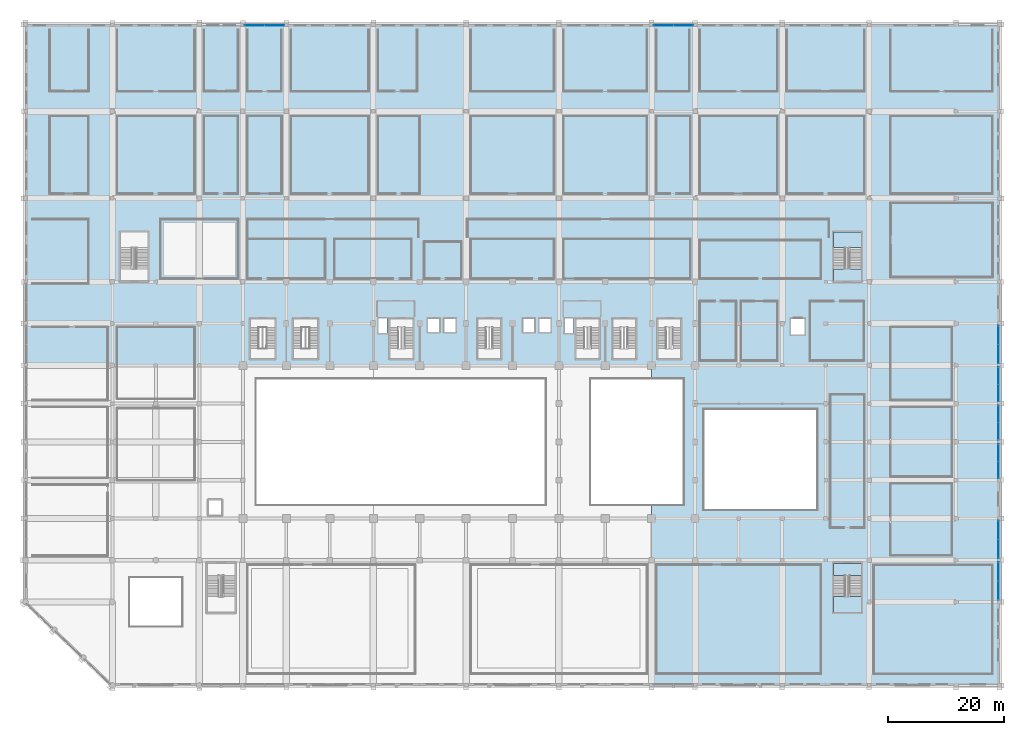
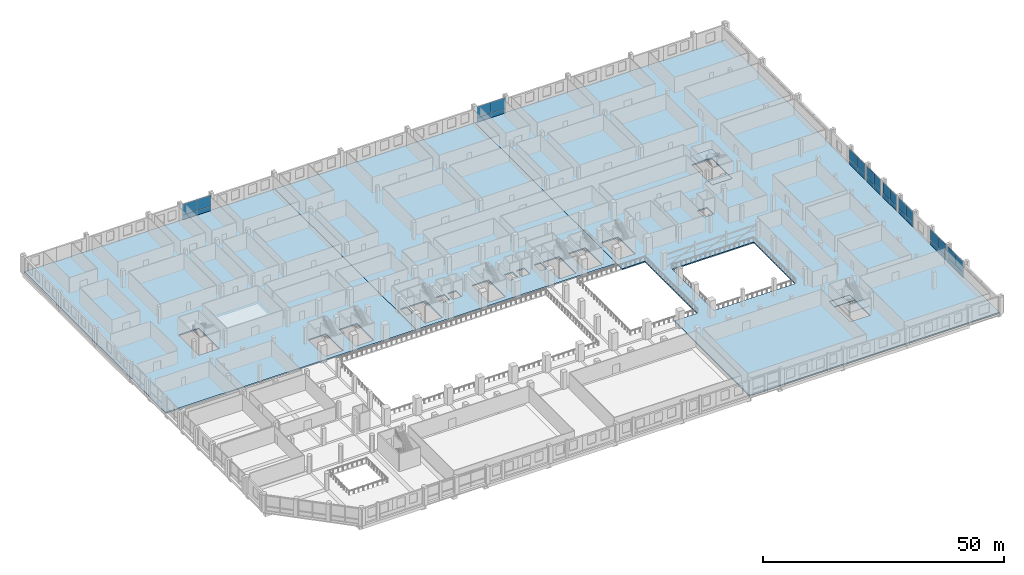
# One storey, part 38 of 64: 24 plates, 7 slabs, 10 elements without a shape of their own.
"""IFC4 building model written with IfcOpenShell, lengths in metres."""

from ifc_helpers import new_model, si_unit, direction, frame, origin, origin_2d, place, context, subcontext, project, spatial, polyline, rectangle, outline, extrude, material, layer, layer_set, type_object, element, aggregate, save


model = new_model("IFC4")

# Units and contexts
model_context = context("Model", 3, precision=1e-05, world=origin(), true_north=direction((0.0, 1.0)))
body_context = subcontext(model_context, "Body", "Model", "MODEL_VIEW")
ifc_project = project(units=[si_unit("LENGTHUNIT", "METRE"), si_unit("AREAUNIT", "SQUARE_METRE"), si_unit("VOLUMEUNIT", "CUBIC_METRE"), si_unit("PLANEANGLEUNIT", "RADIAN"), si_unit("MASSUNIT", "GRAM", prefix="KILO")], contexts=[model_context])

# Site, building, storey
site_placement = place(None, origin())
site = spatial("IfcSite", under=ifc_project, at=site_placement, CompositionType="ELEMENT")
building_placement = place(site_placement, origin())
building = spatial("IfcBuilding", under=site, at=building_placement, Name="Akrevak Sports Hall", CompositionType="ELEMENT")
storey_placement = place(building_placement, frame((0.0, 0.0, 4.60009765625)))
storey = spatial("IfcBuildingStorey", under=building, at=storey_placement, Name="L01", CompositionType="ELEMENT", Elevation=4.60009765625)

# Curtain wall, plates
ifc_material_1 = material(Name="Anodized Bronze Aluminium & Low-E Glass", Category="aluminium")
curtain_wall_type_1 = type_object("IfcCurtainWallType", Name="ARC-CW-POD-70x42", PredefinedType="NOTDEFINED", material=ifc_material_1)
curtain_wall_1_placement = place(storey_placement, origin())
curtain_wall_1 = element("IfcCurtainWall", 1, at=curtain_wall_1_placement, inside=storey, type_object=curtain_wall_type_1, Name="Curtain Wall CW-L01-N06", PredefinedType="NOTDEFINED")
ifc_material_2 = material(Name="Double Low-E Tempered Glass", Category="glass")
ifc_layer_1 = layer(ifc_material_2, 0.035888671875, Name="Double Low-E Tempered Glass")
ifc_layer_set_1 = layer_set([ifc_layer_1], Name="Double Low-E Tempered Glass")
plate_type_1 = type_object("IfcPlateType", Name="ARC-CWP-GLZ-36", PredefinedType="CURTAIN_PANEL", material=ifc_layer_set_1)
plate_1_placement = place(storey_placement, frame((42.96240234375, 113.81005859375, 1.14990234375), z_axis=(0.0, 0.0, 1.0), x_axis=(-1.0, 0.0, 0.0)))
plate_1 = element("IfcPlate", 2, at=plate_1_placement, type_object=plate_type_1, Name="Vision Glass Panel CW-L01-N06-G1", PredefinedType="CURTAIN_PANEL", context=body_context, shape_type="SweptSolid", body=[
    extrude(rectangle(XDim=3.425048828125, YDim=0.035888671875, at=origin_2d()), origin(), (0.0, 0.0, 1.0), 2.7900390625),
])
plate_2_placement = place(storey_placement, frame((39.53759765625, 113.81005859375, 1.14990234375), z_axis=(0.0, 0.0, 1.0), x_axis=(-1.0, 0.0, 0.0)))
plate_2 = element("IfcPlate", 3, at=plate_2_placement, type_object=plate_type_1, Name="Vision Glass Panel CW-L01-N06-G2", PredefinedType="CURTAIN_PANEL", context=body_context, shape_type="SweptSolid", body=[
    extrude(rectangle(XDim=3.425048828125, YDim=0.035888671875, at=origin_2d()), origin(), (0.0, 0.0, 1.0), 2.7900390625),
])

curtain_wall_2_placement = place(storey_placement, origin())
curtain_wall_2 = element("IfcCurtainWall", 4, at=curtain_wall_2_placement, inside=storey, type_object=curtain_wall_type_1, Name="Curtain Wall CW-L01-N15", PredefinedType="NOTDEFINED")
plate_3_placement = place(storey_placement, frame((113.47509765625, 113.81005859375, 1.14990234375), z_axis=(0.0, 0.0, 1.0), x_axis=(-1.0, 0.0, 0.0)))
plate_3 = element("IfcPlate", 5, at=plate_3_placement, type_object=plate_type_1, Name="Vision Glass Panel CW-L01-N15-G1", PredefinedType="CURTAIN_PANEL", context=body_context, shape_type="SweptSolid", body=[
    extrude(rectangle(XDim=3.39990234375, YDim=0.035888671875, at=origin_2d()), origin(), (0.0, 0.0, 1.0), 2.7900390625),
])
plate_4_placement = place(storey_placement, frame((110.074951171875, 113.81005859375, 1.14990234375), z_axis=(0.0, 0.0, 1.0), x_axis=(-1.0, 0.0, 0.0)))
plate_4 = element("IfcPlate", 6, at=plate_4_placement, type_object=plate_type_1, Name="Vision Glass Panel CW-L01-N15-G2", PredefinedType="CURTAIN_PANEL", context=body_context, shape_type="SweptSolid", body=[
    extrude(rectangle(XDim=3.39990234375, YDim=0.035888671875, at=origin_2d()), origin(), (0.0, 0.0, 1.0), 2.7900390625),
])

curtain_wall_type_2 = type_object("IfcCurtainWallType", Name="ARC-CW-POD-64x44", PredefinedType="NOTDEFINED", material=ifc_material_1)
curtain_wall_3_placement = place(storey_placement, origin())
curtain_wall_3 = element("IfcCurtainWall", 7, at=curtain_wall_3_placement, inside=storey, type_object=curtain_wall_type_2, Name="Curtain Wall CW-L01-E03", PredefinedType="NOTDEFINED")
plate_5_placement = place(storey_placement, frame((167.81005859375, 16.39990234375, 1.14990234375), z_axis=(0.0, 0.0, 1.0), x_axis=(0.0, 1.0, 0.0)))
plate_5 = element("IfcPlate", 8, at=plate_5_placement, type_object=plate_type_1, Name="Vision Glass Panel CW-L01-E03-G1", PredefinedType="CURTAIN_PANEL", context=body_context, shape_type="SweptSolid", body=[
    extrude(rectangle(XDim=3.25, YDim=0.035888671875, at=origin_2d()), origin(), (0.0, 0.0, 1.0), 2.7900390625),
])
plate_6_placement = place(storey_placement, frame((167.81005859375, 19.64990234375, 1.14990234375), z_axis=(0.0, 0.0, 1.0), x_axis=(0.0, 1.0, 0.0)))
plate_6 = element("IfcPlate", 9, at=plate_6_placement, type_object=plate_type_1, Name="Vision Glass Panel CW-L01-E03-G2", PredefinedType="CURTAIN_PANEL", context=body_context, shape_type="SweptSolid", body=[
    extrude(rectangle(XDim=3.25, YDim=0.035888671875, at=origin_2d()), origin(), (0.0, 0.0, 1.0), 2.7900390625),
])

curtain_wall_4_placement = place(storey_placement, origin())
curtain_wall_4 = element("IfcCurtainWall", 10, at=curtain_wall_4_placement, inside=storey, type_object=curtain_wall_type_2, Name="Curtain Wall CW-L01-E04", PredefinedType="NOTDEFINED")
plate_7_placement = place(storey_placement, frame((167.81005859375, 23.550048828125, 1.14990234375), z_axis=(0.0, 0.0, 1.0), x_axis=(0.0, 1.0, 0.0)))
plate_7 = element("IfcPlate", 11, at=plate_7_placement, type_object=plate_type_1, Name="Vision Glass Panel CW-L01-E04-G1", PredefinedType="CURTAIN_PANEL", context=body_context, shape_type="SweptSolid", body=[
    extrude(rectangle(XDim=3.25, YDim=0.035888671875, at=origin_2d()), origin(), (0.0, 0.0, 1.0), 2.7900390625),
])
plate_8_placement = place(storey_placement, frame((167.81005859375, 26.800048828125, 1.14990234375), z_axis=(0.0, 0.0, 1.0), x_axis=(0.0, 1.0, 0.0)))
plate_8 = element("IfcPlate", 12, at=plate_8_placement, type_object=plate_type_1, Name="Vision Glass Panel CW-L01-E04-G2", PredefinedType="CURTAIN_PANEL", context=body_context, shape_type="SweptSolid", body=[
    extrude(rectangle(XDim=3.25, YDim=0.035888671875, at=origin_2d()), origin(), (0.0, 0.0, 1.0), 2.7900390625),
])

curtain_wall_5_placement = place(storey_placement, origin())
curtain_wall_5 = element("IfcCurtainWall", 13, at=curtain_wall_5_placement, inside=storey, type_object=curtain_wall_type_2, Name="Curtain Wall CW-L01-E06", PredefinedType="NOTDEFINED")
plate_9_placement = place(storey_placement, frame((167.81005859375, 37.199951171875, 1.14990234375), z_axis=(0.0, 0.0, 1.0), x_axis=(0.0, 1.0, 0.0)))
plate_9 = element("IfcPlate", 14, at=plate_9_placement, type_object=plate_type_1, Name="Vision Glass Panel CW-L01-E06-G1", PredefinedType="CURTAIN_PANEL", context=body_context, shape_type="SweptSolid", body=[
    extrude(rectangle(XDim=2.949951171875, YDim=0.035888671875, at=origin_2d()), origin(), (0.0, 0.0, 1.0), 2.7900390625),
])
plate_10_placement = place(storey_placement, frame((167.81005859375, 40.14990234375, 1.14990234375), z_axis=(0.0, 0.0, 1.0), x_axis=(0.0, 1.0, 0.0)))
plate_10 = element("IfcPlate", 15, at=plate_10_placement, type_object=plate_type_1, Name="Vision Glass Panel CW-L01-E06-G2", PredefinedType="CURTAIN_PANEL", context=body_context, shape_type="SweptSolid", body=[
    extrude(rectangle(XDim=2.949951171875, YDim=0.035888671875, at=origin_2d()), origin(), (0.0, 0.0, 1.0), 2.7900390625),
])

curtain_wall_6_placement = place(storey_placement, origin())
curtain_wall_6 = element("IfcCurtainWall", 16, at=curtain_wall_6_placement, inside=storey, type_object=curtain_wall_type_2, Name="Curtain Wall CW-L01-E07", PredefinedType="NOTDEFINED")
plate_11_placement = place(storey_placement, frame((167.81005859375, 43.83740234375, 1.14990234375), z_axis=(0.0, 0.0, 1.0), x_axis=(0.0, 1.0, 0.0)))
plate_11 = element("IfcPlate", 17, at=plate_11_placement, type_object=plate_type_1, Name="Vision Glass Panel CW-L01-E07-G1", PredefinedType="CURTAIN_PANEL", context=body_context, shape_type="SweptSolid", body=[
    extrude(rectangle(XDim=2.925048828125, YDim=0.035888671875, at=origin_2d()), origin(), (0.0, 0.0, 1.0), 2.7900390625),
])
plate_12_placement = place(storey_placement, frame((167.81005859375, 46.762451171875, 1.14990234375), z_axis=(0.0, 0.0, 1.0), x_axis=(0.0, 1.0, 0.0)))
plate_12 = element("IfcPlate", 18, at=plate_12_placement, type_object=plate_type_1, Name="Vision Glass Panel CW-L01-E07-G2", PredefinedType="CURTAIN_PANEL", context=body_context, shape_type="SweptSolid", body=[
    extrude(rectangle(XDim=2.925048828125, YDim=0.035888671875, at=origin_2d()), origin(), (0.0, 0.0, 1.0), 2.7900390625),
])

curtain_wall_7_placement = place(storey_placement, origin())
curtain_wall_7 = element("IfcCurtainWall", 19, at=curtain_wall_7_placement, inside=storey, type_object=curtain_wall_type_2, Name="Curtain Wall CW-L01-E08", PredefinedType="NOTDEFINED")
plate_13_placement = place(storey_placement, frame((167.81005859375, 50.449951171875, 1.14990234375), z_axis=(0.0, 0.0, 1.0), x_axis=(0.0, 1.0, 0.0)))
plate_13 = element("IfcPlate", 20, at=plate_13_placement, type_object=plate_type_1, Name="Vision Glass Panel CW-L01-E08-G1", PredefinedType="CURTAIN_PANEL", context=body_context, shape_type="SweptSolid", body=[
    extrude(rectangle(XDim=2.949951171875, YDim=0.035888671875, at=origin_2d()), origin(), (0.0, 0.0, 1.0), 2.7900390625),
])
plate_14_placement = place(storey_placement, frame((167.81005859375, 53.39990234375, 1.14990234375), z_axis=(0.0, 0.0, 1.0), x_axis=(0.0, 1.0, 0.0)))
plate_14 = element("IfcPlate", 21, at=plate_14_placement, type_object=plate_type_1, Name="Vision Glass Panel CW-L01-E08-G2", PredefinedType="CURTAIN_PANEL", context=body_context, shape_type="SweptSolid", body=[
    extrude(rectangle(XDim=2.949951171875, YDim=0.035888671875, at=origin_2d()), origin(), (0.0, 0.0, 1.0), 2.7900390625),
])

curtain_wall_8_placement = place(storey_placement, origin())
curtain_wall_8 = element("IfcCurtainWall", 22, at=curtain_wall_8_placement, inside=storey, type_object=curtain_wall_type_2, Name="Curtain Wall CW-L01-E09", PredefinedType="NOTDEFINED")
plate_15_placement = place(storey_placement, frame((167.81005859375, 57.14990234375, 1.14990234375), z_axis=(0.0, 0.0, 1.0), x_axis=(0.0, 1.0, 0.0)))
plate_15 = element("IfcPlate", 23, at=plate_15_placement, type_object=plate_type_1, Name="Vision Glass Panel CW-L01-E09-G1", PredefinedType="CURTAIN_PANEL", context=body_context, shape_type="SweptSolid", body=[
    extrude(rectangle(XDim=3.25, YDim=0.035888671875, at=origin_2d()), origin(), (0.0, 0.0, 1.0), 2.7900390625),
])
plate_16_placement = place(storey_placement, frame((167.81005859375, 60.39990234375, 1.14990234375), z_axis=(0.0, 0.0, 1.0), x_axis=(0.0, 1.0, 0.0)))
plate_16 = element("IfcPlate", 24, at=plate_16_placement, type_object=plate_type_1, Name="Vision Glass Panel CW-L01-E09-G2", PredefinedType="CURTAIN_PANEL", context=body_context, shape_type="SweptSolid", body=[
    extrude(rectangle(XDim=3.25, YDim=0.035888671875, at=origin_2d()), origin(), (0.0, 0.0, 1.0), 2.7900390625),
])

# Plate
ifc_material_3 = material(Name="Insulated Bronze Spandrel Panel", Category="aluminium")
ifc_layer_2 = layer(ifc_material_3, 0.0439453125, Name="Insulated Bronze Spandrel Panel")
ifc_layer_set_2 = layer_set([ifc_layer_2], Name="Insulated Bronze Spandrel Panel")
plate_type_2 = type_object("IfcPlateType", Name="ARC-CWP-SPD-44", PredefinedType="CURTAIN_PANEL", material=ifc_layer_set_2)
plate_17_placement = place(storey_placement, frame((41.25, 113.81005859375, 0.0), z_axis=(0.0, 0.0, 1.0), x_axis=(-1.0, 0.0, 0.0)))
plate_17 = element("IfcPlate", 25, at=plate_17_placement, type_object=plate_type_2, Name="Insulated Spandrel Panel CW-L01-N06-S1", PredefinedType="CURTAIN_PANEL", context=body_context, shape_type="SweptSolid", body=[
    extrude(rectangle(XDim=6.85009765625, YDim=0.0439453125, at=origin_2d()), origin(), (0.0, 0.0, 1.0), 1.14990234375),
])

aggregate(curtain_wall_1, [plate_1, plate_2, plate_17])

plate_18_placement = place(storey_placement, frame((111.77490234375, 113.81005859375, 0.0), z_axis=(0.0, 0.0, 1.0), x_axis=(-1.0, 0.0, 0.0)))
plate_18 = element("IfcPlate", 26, at=plate_18_placement, type_object=plate_type_2, Name="Insulated Spandrel Panel CW-L01-N15-S1", PredefinedType="CURTAIN_PANEL", context=body_context, shape_type="SweptSolid", body=[
    extrude(rectangle(XDim=6.800048828125, YDim=0.0439453125, at=origin_2d()), origin(), (0.0, 0.0, 1.0), 1.14990234375),
])

aggregate(curtain_wall_2, [plate_3, plate_4, plate_18])

plate_19_placement = place(storey_placement, frame((167.81005859375, 18.02490234375, 0.0), z_axis=(0.0, 0.0, 1.0), x_axis=(0.0, 1.0, 0.0)))
plate_19 = element("IfcPlate", 27, at=plate_19_placement, type_object=plate_type_2, Name="Insulated Spandrel Panel CW-L01-E03-S1", PredefinedType="CURTAIN_PANEL", context=body_context, shape_type="SweptSolid", body=[
    extrude(rectangle(XDim=6.5, YDim=0.0439453125, at=origin_2d()), origin(), (0.0, 0.0, 1.0), 1.14990234375),
])

aggregate(curtain_wall_3, [plate_5, plate_6, plate_19])

plate_20_placement = place(storey_placement, frame((167.81005859375, 25.175048828125, 0.0), z_axis=(0.0, 0.0, 1.0), x_axis=(0.0, 1.0, 0.0)))
plate_20 = element("IfcPlate", 28, at=plate_20_placement, type_object=plate_type_2, Name="Insulated Spandrel Panel CW-L01-E04-S1", PredefinedType="CURTAIN_PANEL", context=body_context, shape_type="SweptSolid", body=[
    extrude(rectangle(XDim=6.5, YDim=0.0439453125, at=origin_2d()), origin(), (0.0, 0.0, 1.0), 1.14990234375),
])

aggregate(curtain_wall_4, [plate_7, plate_8, plate_20])

plate_21_placement = place(storey_placement, frame((167.81005859375, 38.675048828125, 0.0), z_axis=(0.0, 0.0, 1.0), x_axis=(0.0, 1.0, 0.0)))
plate_21 = element("IfcPlate", 29, at=plate_21_placement, type_object=plate_type_2, Name="Insulated Spandrel Panel CW-L01-E06-S1", PredefinedType="CURTAIN_PANEL", context=body_context, shape_type="SweptSolid", body=[
    extrude(rectangle(XDim=5.89990234375, YDim=0.0439453125, at=origin_2d()), origin(), (0.0, 0.0, 1.0), 1.14990234375),
])

aggregate(curtain_wall_5, [plate_9, plate_10, plate_21])

plate_22_placement = place(storey_placement, frame((167.81005859375, 45.300048828125, 0.0), z_axis=(0.0, 0.0, 1.0), x_axis=(0.0, 1.0, 0.0)))
plate_22 = element("IfcPlate", 30, at=plate_22_placement, type_object=plate_type_2, Name="Insulated Spandrel Panel CW-L01-E07-S1", PredefinedType="CURTAIN_PANEL", context=body_context, shape_type="SweptSolid", body=[
    extrude(rectangle(XDim=5.85009765625, YDim=0.0439453125, at=origin_2d()), origin(), (0.0, 0.0, 1.0), 1.14990234375),
])

aggregate(curtain_wall_6, [plate_11, plate_12, plate_22])

plate_23_placement = place(storey_placement, frame((167.81005859375, 51.925048828125, 0.0), z_axis=(0.0, 0.0, 1.0), x_axis=(0.0, 1.0, 0.0)))
plate_23 = element("IfcPlate", 31, at=plate_23_placement, type_object=plate_type_2, Name="Insulated Spandrel Panel CW-L01-E08-S1", PredefinedType="CURTAIN_PANEL", context=body_context, shape_type="SweptSolid", body=[
    extrude(rectangle(XDim=5.89990234375, YDim=0.0439453125, at=origin_2d()), origin(), (0.0, 0.0, 1.0), 1.14990234375),
])

aggregate(curtain_wall_7, [plate_13, plate_14, plate_23])

plate_24_placement = place(storey_placement, frame((167.81005859375, 58.77490234375, 0.0), z_axis=(0.0, 0.0, 1.0), x_axis=(0.0, 1.0, 0.0)))
plate_24 = element("IfcPlate", 32, at=plate_24_placement, type_object=plate_type_2, Name="Insulated Spandrel Panel CW-L01-E09-S1", PredefinedType="CURTAIN_PANEL", context=body_context, shape_type="SweptSolid", body=[
    extrude(rectangle(XDim=6.5, YDim=0.0439453125, at=origin_2d()), origin(), (0.0, 0.0, 1.0), 1.14990234375),
])

aggregate(curtain_wall_8, [plate_15, plate_16, plate_24])

# Slabs
ifc_material_4 = material(Name="Concrete C40/50", Category="concrete")
ifc_layer_3 = layer(ifc_material_4, 0.300048828125, Name="Concrete C40/50")
ifc_layer_set_3 = layer_set([ifc_layer_3], Name="Concrete C40/50")
slab_type_1 = type_object("IfcSlabType", Name="STR-SLB-FLR-300", PredefinedType="FLOOR", material=ifc_layer_set_3)
slab_1_placement = place(storey_placement, frame((0.0, 0.0, -0.300048828125)))
element("IfcSlab", 33, at=slab_1_placement, inside=storey, type_object=slab_type_1, Name="Structural Floor Slab L01-2.1", PredefinedType="FLOOR", context=body_context, shape_type="SweptSolid", body=[
    extrude(outline(polyline([(0.0, 55.199951171875), (60.0, 55.199951171875), (60.0, 114.0), (0.0, 114.0), (0.0, 55.199951171875)]), holes=[polyline([(43.050048828125, 56.300048828125), (38.75, 56.300048828125), (38.75, 63.25), (43.050048828125, 63.25), (43.050048828125, 56.300048828125)]), polyline([(50.449951171875, 63.25), (50.449951171875, 56.300048828125), (46.14990234375, 56.300048828125), (46.14990234375, 63.25), (50.449951171875, 63.25)]), polyline([(21.14990234375, 78.199951171875), (21.14990234375, 69.75), (16.35009765625, 69.75), (16.35009765625, 78.199951171875), (21.14990234375, 78.199951171875)])]), origin(), (0.0, 0.0, 1.0), 0.300048828125),
])
slab_2_placement = place(storey_placement, frame((0.0, 0.0, -0.300048828125)))
element("IfcSlab", 34, at=slab_2_placement, inside=storey, type_object=slab_type_1, Name="Structural Floor Slab L01-4.1", PredefinedType="FLOOR", context=body_context, shape_type="SweptSolid", body=[
    extrude(outline(polyline([(60.0, 114.0), (60.0, 55.199951171875), (108.0, 55.199951171875), (108.0, 114.0), (60.0, 114.0)]), holes=[polyline([(66.85009765625, 56.300048828125), (62.85009765625, 56.300048828125), (62.85009765625, 63.25), (66.85009765625, 63.25), (66.85009765625, 56.300048828125)]), polyline([(82.0, 56.300048828125), (78.0, 56.300048828125), (78.0, 63.25), (82.0, 63.25), (82.0, 56.300048828125)]), polyline([(62.3798828125, 63.280029296875), (62.3798828125, 60.77001953125), (60.8701171875, 60.77001953125), (60.8701171875, 63.280029296875), (62.3798828125, 63.280029296875)]), polyline([(71.3798828125, 60.919921875), (69.419921875, 60.919921875), (69.419921875, 63.280029296875), (71.3798828125, 63.280029296875), (71.3798828125, 60.919921875)]), polyline([(74.179931640625, 60.919921875), (72.219970703125, 60.919921875), (72.219970703125, 63.280029296875), (74.179931640625, 63.280029296875), (74.179931640625, 60.919921875)]), polyline([(98.949951171875, 56.300048828125), (94.949951171875, 56.300048828125), (94.949951171875, 63.25), (98.949951171875, 63.25), (98.949951171875, 56.300048828125)]), polyline([(105.25, 56.300048828125), (101.25, 56.300048828125), (101.25, 63.25), (105.25, 63.25), (105.25, 56.300048828125)]), polyline([(94.47998046875, 60.77001953125), (92.969970703125, 60.77001953125), (92.969970703125, 63.280029296875), (94.47998046875, 63.280029296875), (94.47998046875, 60.77001953125)]), polyline([(87.780029296875, 63.280029296875), (87.780029296875, 60.919921875), (85.820068359375, 60.919921875), (85.820068359375, 63.280029296875), (87.780029296875, 63.280029296875)]), polyline([(90.580078125, 60.919921875), (88.6201171875, 60.919921875), (88.6201171875, 63.280029296875), (90.580078125, 63.280029296875), (90.580078125, 60.919921875)])]), origin(), (0.0, 0.0, 1.0), 0.300048828125),
])
slab_3_placement = place(storey_placement, frame((0.0, 0.0, -0.300048828125)))
element("IfcSlab", 35, at=slab_3_placement, inside=storey, type_object=slab_type_1, Name="Structural Floor Slab L01-5.1", PredefinedType="FLOOR", context=body_context, shape_type="SweptSolid", body=[
    extrude(outline(polyline([(108.0, 114.0), (108.0, 52.85009765625), (113.5, 52.85009765625), (113.5, 31.14990234375), (108.0, 31.14990234375), (108.0, 0.0), (168.0, 0.0), (168.0, 114.0), (108.0, 114.0)]), holes=[polyline([(144.14990234375, 12.60009765625), (139.35009765625, 12.60009765625), (139.35009765625, 21.050048828125), (144.14990234375, 21.050048828125), (144.14990234375, 12.60009765625)]), polyline([(136.5, 30.300048828125), (117.0, 30.300048828125), (117.0, 47.60009765625), (136.5, 47.60009765625), (136.5, 30.300048828125)]), polyline([(113.050048828125, 63.25), (113.050048828125, 56.300048828125), (109.050048828125, 56.300048828125), (109.050048828125, 63.25), (113.050048828125, 63.25)]), polyline([(134.3798828125, 60.52001953125), (132.02001953125, 60.52001953125), (132.02001953125, 63.280029296875), (134.3798828125, 63.280029296875), (134.3798828125, 60.52001953125)]), polyline([(144.14990234375, 69.75), (139.35009765625, 69.75), (139.35009765625, 78.199951171875), (144.14990234375, 78.199951171875), (144.14990234375, 69.75)])]), origin(), (0.0, 0.0, 1.0), 0.300048828125),
])

# Stair, slab
stair_type = type_object("IfcStairType", Name="ARC-STR-PDOG-480", PredefinedType="HALF_TURN_STAIR", material=ifc_material_4)
stair_1_placement = place(storey_placement, origin())
stair_1 = element("IfcStair", 36, at=stair_1_placement, inside=storey, type_object=stair_type, Name="Podium SE Exit Stair ST7 (L01 to L02)", PredefinedType="HALF_TURN_STAIR")
ifc_layer_4 = layer(ifc_material_4, 0.199951171875, Name="Concrete C40/50")
ifc_layer_set_4 = layer_set([ifc_layer_4], Name="Concrete C40/50")
slab_type_2 = type_object("IfcSlabType", Name="STR-SLB-LAND-200", PredefinedType="LANDING", material=ifc_layer_set_4)
slab_4_placement = place(storey_placement, frame((0.0, 0.0, 2.199951171875)))
slab_4 = element("IfcSlab", 37, at=slab_4_placement, type_object=slab_type_2, Name="Stair ST7 Half-Landing 1 (L01)", PredefinedType="LANDING", context=body_context, shape_type="SweptSolid", body=[
    extrude(outline(polyline([(139.35009765625, 12.60009765625), (144.14990234375, 12.60009765625), (144.14990234375, 15.31005859375), (139.35009765625, 15.31005859375), (139.35009765625, 12.60009765625)])), origin(), (0.0, 0.0, 1.0), 0.199951171875),
])
aggregate(stair_1, [slab_4])

stair_2_placement = place(storey_placement, origin())
stair_2 = element("IfcStair", 38, at=stair_2_placement, inside=storey, type_object=stair_type, Name="Podium NE Exit Stair ST8 (L01 to L02)", PredefinedType="HALF_TURN_STAIR")
slab_5_placement = place(storey_placement, frame((0.0, 0.0, 2.199951171875)))
slab_5 = element("IfcSlab", 39, at=slab_5_placement, type_object=slab_type_2, Name="Stair ST8 Half-Landing 1 (L01)", PredefinedType="LANDING", context=body_context, shape_type="SweptSolid", body=[
    extrude(outline(polyline([(139.35009765625, 75.489990234375), (144.14990234375, 75.489990234375), (144.14990234375, 78.199951171875), (139.35009765625, 78.199951171875), (139.35009765625, 75.489990234375)])), origin(), (0.0, 0.0, 1.0), 0.199951171875),
])
aggregate(stair_2, [slab_5])

# Slabs
ifc_layer_5 = layer(ifc_material_4, 0.219970703125, Name="Concrete C40/50")
ifc_layer_set_5 = layer_set([ifc_layer_5], Name="Concrete C40/50")
slab_type_3 = type_object("IfcSlabType", Name="STR-SLB-LAND-220", PredefinedType="LANDING", material=ifc_layer_set_5)
slab_6_placement = place(storey_placement, frame((0.0, 0.0, -0.22021484375)))
element("IfcSlab", 40, at=slab_6_placement, inside=storey, type_object=slab_type_3, Name="Stair ST7 Floor Landing (L01)", PredefinedType="LANDING", context=body_context, shape_type="SweptSolid", body=[
    extrude(outline(polyline([(139.35009765625, 18.949951171875), (144.14990234375, 18.949951171875), (144.14990234375, 21.050048828125), (139.35009765625, 21.050048828125), (139.35009765625, 18.949951171875)])), origin(), (0.0, 0.0, 1.0), 0.22021484375),
])
slab_7_placement = place(storey_placement, frame((0.0, 0.0, -0.22021484375)))
element("IfcSlab", 41, at=slab_7_placement, inside=storey, type_object=slab_type_3, Name="Stair ST8 Floor Landing (L01)", PredefinedType="LANDING", context=body_context, shape_type="SweptSolid", body=[
    extrude(outline(polyline([(139.35009765625, 69.75), (144.14990234375, 69.75), (144.14990234375, 71.85009765625), (139.35009765625, 71.85009765625), (139.35009765625, 69.75)])), origin(), (0.0, 0.0, 1.0), 0.22021484375),
])

save(model, "model.ifc")
